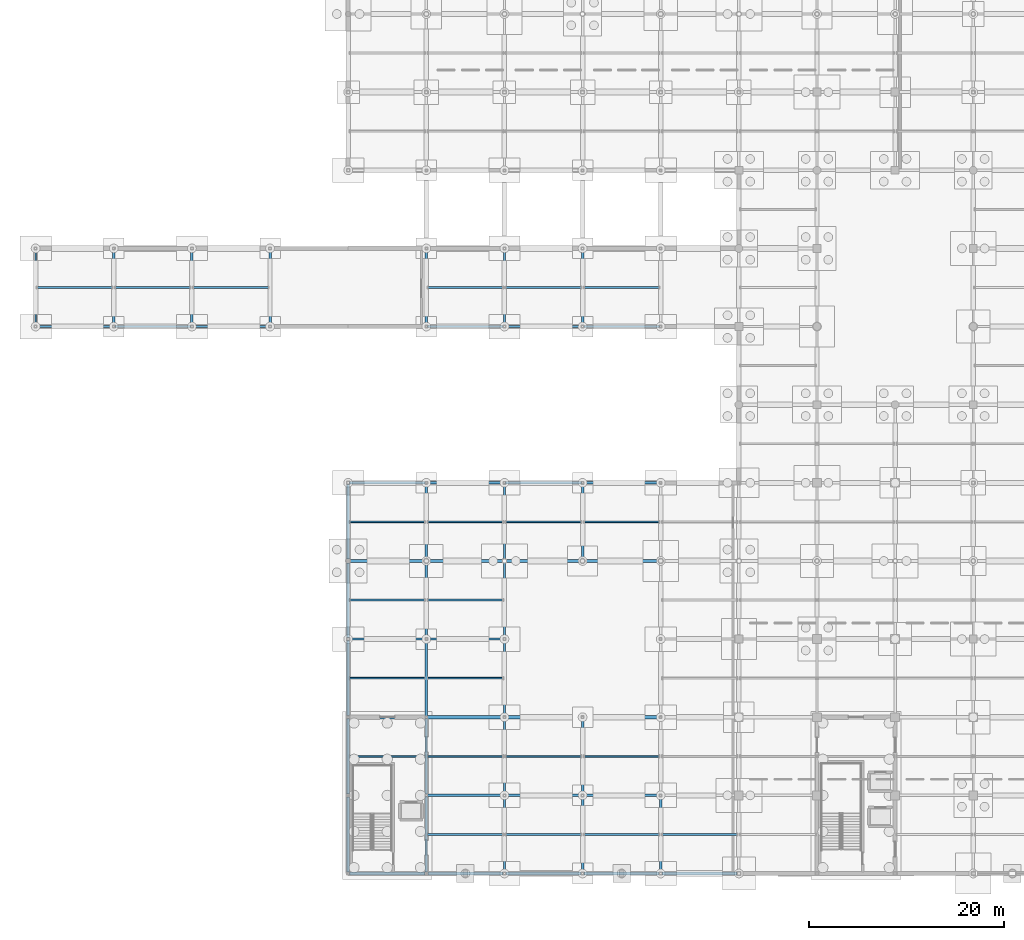
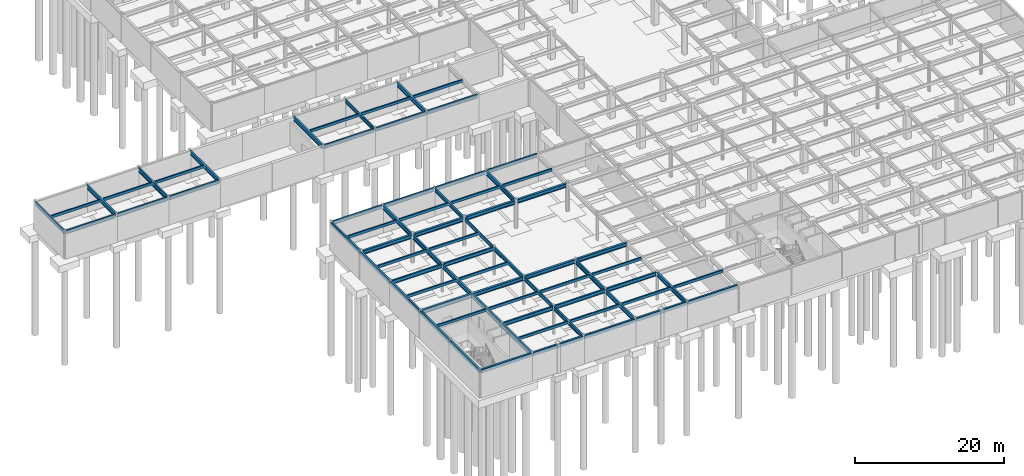
# One storey, part 44 of 105: 76 beams.
"""IFC4 building model written with IfcOpenShell, lengths in metres."""

from ifc_helpers import new_model, si_unit, direction, frame, origin, origin_2d, place, context, subcontext, project, spatial, hollow_rectangle, i_section, extrude, material, material_profile, profile_set, type_object, element, save


model = new_model("IFC4")

# Units and contexts
model_context = context("Model", 3, precision=1e-05, world=origin(), true_north=direction((0.0, 1.0)))
body_context = subcontext(model_context, "Body", "Model", "MODEL_VIEW")
ifc_project = project(units=[si_unit("LENGTHUNIT", "METRE"), si_unit("AREAUNIT", "SQUARE_METRE"), si_unit("VOLUMEUNIT", "CUBIC_METRE"), si_unit("PLANEANGLEUNIT", "RADIAN"), si_unit("MASSUNIT", "GRAM", prefix="KILO")], contexts=[model_context])

# Site, building, storey
site_placement = place(None, origin())
site = spatial("IfcSite", under=ifc_project, at=site_placement, CompositionType="ELEMENT")
building_placement = place(site_placement, origin())
building = spatial("IfcBuilding", under=site, at=building_placement, Name="Solmirada Galleria", CompositionType="ELEMENT")
storey_placement = place(building_placement, frame((0.0, 0.0, -4.800048828125)))
storey = spatial("IfcBuildingStorey", under=building, at=storey_placement, Name="B1", CompositionType="ELEMENT", Elevation=-4.800048828125)

# Beams
ifc_material_1 = material(Name="Steel S355 / ASTM A992 Grade 50", Category="steel")
ifc_material_profile_1 = material_profile(ifc_material_1, i_section(OverallWidth=0.323974609375, OverallDepth=0.611083984375, WebThickness=0.0126953125, FlangeThickness=0.01904296875, FilletRadius=0.014892578125, at=origin_2d()), Name="W24X104")
ifc_profile_set_1 = profile_set([ifc_material_profile_1], Name="Steel S355 / ASTM A992 Grade 50")
beam_type_1 = type_object("IfcBeamType", Name="BM-GIRD-W24A", PredefinedType="BEAM", material=ifc_profile_set_1)
beam_1_placement = place(storey_placement, frame((40.152587890625, 16.0, 4.274658203125), z_axis=(1.0, 0.0, 0.0), x_axis=(0.0, 1.0, 0.0)))
element("IfcBeam", 1, at=beam_1_placement, inside=storey, type_object=beam_type_1, Name="Primary beam L00 X(40..48, 16)", PredefinedType="BEAM", context=body_context, shape_type="SweptSolid", body=[
    extrude(i_section(OverallWidth=0.323974609375, OverallDepth=0.611083984375, WebThickness=0.0126953125, FlangeThickness=0.01904296875, FilletRadius=0.014892578125, at=origin_2d()), origin(), (0.0, 0.0, 1.0), 7.720458984375),
])
beam_2_placement = place(storey_placement, frame((40.21337890625, 32.0, 4.274658203125), z_axis=(1.0, 0.0, 0.0), x_axis=(0.0, 1.0, 0.0)))
element("IfcBeam", 2, at=beam_2_placement, inside=storey, type_object=beam_type_1, Name="Primary beam L00 X(40..48, 32)", PredefinedType="BEAM", context=body_context, shape_type="SweptSolid", body=[
    extrude(i_section(OverallWidth=0.323974609375, OverallDepth=0.611083984375, WebThickness=0.0126953125, FlangeThickness=0.01904296875, FilletRadius=0.014892578125, at=origin_2d()), origin(), (0.0, 0.0, 1.0), 7.5732421875),
])
beam_3_placement = place(storey_placement, frame((48.126953125, 16.0, 4.274658203125), z_axis=(1.0, 0.0, 0.0), x_axis=(0.0, 1.0, 0.0)))
element("IfcBeam", 3, at=beam_3_placement, inside=storey, type_object=beam_type_1, Name="Primary beam L00 X(48..56, 16)", PredefinedType="BEAM", context=body_context, shape_type="SweptSolid", body=[
    extrude(i_section(OverallWidth=0.323974609375, OverallDepth=0.611083984375, WebThickness=0.0126953125, FlangeThickness=0.01904296875, FilletRadius=0.014892578125, at=origin_2d()), origin(), (0.0, 0.0, 1.0), 7.74609375),
])
beam_4_placement = place(storey_placement, frame((48.21337890625, 32.0, 4.274658203125), z_axis=(1.0, 0.0, 0.0), x_axis=(0.0, 1.0, 0.0)))
element("IfcBeam", 4, at=beam_4_placement, inside=storey, type_object=beam_type_1, Name="Primary beam L00 X(48..56, 32)", PredefinedType="BEAM", context=body_context, shape_type="SweptSolid", body=[
    extrude(i_section(OverallWidth=0.323974609375, OverallDepth=0.611083984375, WebThickness=0.0126953125, FlangeThickness=0.01904296875, FilletRadius=0.014892578125, at=origin_2d()), origin(), (0.0, 0.0, 1.0), 7.5732421875),
])
beam_5_placement = place(storey_placement, frame((56.126953125, 16.0, 4.274658203125), z_axis=(1.0, 0.0, 0.0), x_axis=(0.0, 1.0, 0.0)))
element("IfcBeam", 5, at=beam_5_placement, inside=storey, type_object=beam_type_1, Name="Primary beam L00 X(56..64, 16)", PredefinedType="BEAM", context=body_context, shape_type="SweptSolid", body=[
    extrude(i_section(OverallWidth=0.323974609375, OverallDepth=0.611083984375, WebThickness=0.0126953125, FlangeThickness=0.01904296875, FilletRadius=0.014892578125, at=origin_2d()), origin(), (0.0, 0.0, 1.0), 7.74609375),
])
beam_6_placement = place(storey_placement, frame((56.21337890625, 32.0, 4.274658203125), z_axis=(1.0, 0.0, 0.0), x_axis=(0.0, 1.0, 0.0)))
element("IfcBeam", 6, at=beam_6_placement, inside=storey, type_object=beam_type_1, Name="Primary beam L00 X(56..64, 32)", PredefinedType="BEAM", context=body_context, shape_type="SweptSolid", body=[
    extrude(i_section(OverallWidth=0.323974609375, OverallDepth=0.611083984375, WebThickness=0.0126953125, FlangeThickness=0.01904296875, FilletRadius=0.014892578125, at=origin_2d()), origin(), (0.0, 0.0, 1.0), 7.5732421875),
])
beam_7_placement = place(storey_placement, frame((64.126953125, 16.0, 4.274658203125), z_axis=(1.0, 0.0, 0.0), x_axis=(0.0, 1.0, 0.0)))
element("IfcBeam", 7, at=beam_7_placement, inside=storey, type_object=beam_type_1, Name="Primary beam L00 X(64..72, 16)", PredefinedType="BEAM", context=body_context, shape_type="SweptSolid", body=[
    extrude(i_section(OverallWidth=0.323974609375, OverallDepth=0.611083984375, WebThickness=0.0126953125, FlangeThickness=0.01904296875, FilletRadius=0.014892578125, at=origin_2d()), origin(), (0.0, 0.0, 1.0), 7.74609375),
])
beam_8_placement = place(storey_placement, frame((64.21337890625, 32.0, 4.274658203125), z_axis=(1.0, 0.0, 0.0), x_axis=(0.0, 1.0, 0.0)))
element("IfcBeam", 8, at=beam_8_placement, inside=storey, type_object=beam_type_1, Name="Primary beam L00 X(64..72, 32)", PredefinedType="BEAM", context=body_context, shape_type="SweptSolid", body=[
    extrude(i_section(OverallWidth=0.323974609375, OverallDepth=0.611083984375, WebThickness=0.0126953125, FlangeThickness=0.01904296875, FilletRadius=0.014892578125, at=origin_2d()), origin(), (0.0, 0.0, 1.0), 7.5732421875),
])
ifc_material_profile_2 = material_profile(ifc_material_1, i_section(OverallWidth=0.22900390625, OverallDepth=0.612060546875, WebThickness=0.011962890625, FlangeThickness=0.01953125, FilletRadius=0.014892578125, at=origin_2d()), Name="W24X84")
ifc_profile_set_2 = profile_set([ifc_material_profile_2], Name="Steel S355 / ASTM A992 Grade 50")
beam_type_2 = type_object("IfcBeamType", Name="BM-GIRD-W24B", PredefinedType="BEAM", material=ifc_profile_set_2)
for number, where, z_axis, x_axis, name in (
    (9, (8.126953125, 56.0, 4.274169921875), (1.0, 0.0, 0.0), (0.0, 1.0, 0.0), "Primary beam L00 X(8..16, 56)"),
    (10, (16.126953125, 56.0, 4.274169921875), (1.0, 0.0, 0.0), (0.0, 1.0, 0.0), "Primary beam L00 X(16..24, 56)"),
    (11, (24.126953125, 56.0, 4.274169921875), (1.0, 0.0, 0.0), (0.0, 1.0, 0.0), "Primary beam L00 X(24..32, 56)"),
):
    element("IfcBeam", number, at=place(storey_placement, frame(where, z_axis=z_axis, x_axis=x_axis)), inside=storey, type_object=beam_type_2, Name=name, PredefinedType="BEAM", context=body_context, shape_type="SweptSolid", body=[
        extrude(i_section(OverallWidth=0.22900390625, OverallDepth=0.612060546875, WebThickness=0.011962890625, FlangeThickness=0.01953125, FilletRadius=0.014892578125, at=origin_2d()), origin(), (0.0, 0.0, 1.0), 7.74609375),
    ])
for number, where, z_axis, x_axis, name in (
    (12, (40.152587890625, 24.0, 4.274169921875), (1.0, 0.0, 0.0), (0.0, 1.0, 0.0), "Primary beam L00 X(40..48, 24)"),
    (13, (40.152587890625, 40.0, 4.274169921875), (1.0, 0.0, 0.0), (0.0, 1.0, 0.0), "Primary beam L00 X(40..48, 40)"),
):
    element("IfcBeam", number, at=place(storey_placement, frame(where, z_axis=z_axis, x_axis=x_axis)), inside=storey, type_object=beam_type_2, Name=name, PredefinedType="BEAM", context=body_context, shape_type="SweptSolid", body=[
        extrude(i_section(OverallWidth=0.22900390625, OverallDepth=0.612060546875, WebThickness=0.011962890625, FlangeThickness=0.01953125, FilletRadius=0.014892578125, at=origin_2d()), origin(), (0.0, 0.0, 1.0), 7.720458984375),
    ])
for number, where, z_axis, x_axis, name in (
    (14, (48.126953125, 8.0, 4.274169921875), (1.0, 0.0, 0.0), (0.0, 1.0, 0.0), "Primary beam L00 X(48..56, 8)"),
    (15, (48.126953125, 24.0, 4.274169921875), (1.0, 0.0, 0.0), (0.0, 1.0, 0.0), "Primary beam L00 X(48..56, 24)"),
    (16, (48.126953125, 40.0, 4.274169921875), (1.0, 0.0, 0.0), (0.0, 1.0, 0.0), "Primary beam L00 X(48..56, 40)"),
    (17, (48.126953125, 56.0, 4.274169921875), (1.0, 0.0, 0.0), (0.0, 1.0, 0.0), "Primary beam L00 X(48..56, 56)"),
    (18, (56.126953125, 8.0, 4.274169921875), (1.0, 0.0, 0.0), (0.0, 1.0, 0.0), "Primary beam L00 X(56..64, 8)"),
    (19, (56.126953125, 40.0, 4.274169921875), (1.0, 0.0, 0.0), (0.0, 1.0, 0.0), "Primary beam L00 X(56..64, 40)"),
    (20, (56.126953125, 56.0, 4.274169921875), (1.0, 0.0, 0.0), (0.0, 1.0, 0.0), "Primary beam L00 X(56..64, 56)"),
    (21, (64.126953125, 8.0, 4.274169921875), (1.0, 0.0, 0.0), (0.0, 1.0, 0.0), "Primary beam L00 X(64..72, 8)"),
    (22, (64.126953125, 40.0, 4.274169921875), (1.0, 0.0, 0.0), (0.0, 1.0, 0.0), "Primary beam L00 X(64..72, 40)"),
    (23, (64.126953125, 56.0, 4.274169921875), (1.0, 0.0, 0.0), (0.0, 1.0, 0.0), "Primary beam L00 X(64..72, 56)"),
):
    element("IfcBeam", number, at=place(storey_placement, frame(where, z_axis=z_axis, x_axis=x_axis)), inside=storey, type_object=beam_type_2, Name=name, PredefinedType="BEAM", context=body_context, shape_type="SweptSolid", body=[
        extrude(i_section(OverallWidth=0.22900390625, OverallDepth=0.612060546875, WebThickness=0.011962890625, FlangeThickness=0.01953125, FilletRadius=0.014892578125, at=origin_2d()), origin(), (0.0, 0.0, 1.0), 7.74609375),
    ])
ifc_material_profile_3 = material_profile(ifc_material_1, i_section(OverallWidth=0.22802734375, OverallDepth=0.60302734375, WebThickness=0.010498046875, FlangeThickness=0.014892578125, FilletRadius=0.014892578125, at=origin_2d()), Name="W24X68")
ifc_profile_set_3 = profile_set([ifc_material_profile_3], Name="Steel S355 / ASTM A992 Grade 50")
beam_type_3 = type_object("IfcBeamType", Name="BM-GIRD-W24C", PredefinedType="BEAM", material=ifc_profile_set_3)
beam_9_placement = place(storey_placement, frame((56.0, 0.152587890625, 4.278564453125), z_axis=(0.0, 1.0, 0.0), x_axis=(-1.0, 0.0, 0.0)))
element("IfcBeam", 24, at=beam_9_placement, inside=storey, type_object=beam_type_3, Name="Primary girder L00 Y(56, 0..8)", PredefinedType="BEAM", context=body_context, shape_type="SweptSolid", body=[
    extrude(i_section(OverallWidth=0.22802734375, OverallDepth=0.60302734375, WebThickness=0.010498046875, FlangeThickness=0.014892578125, FilletRadius=0.014892578125, at=origin_2d()), origin(), (0.0, 0.0, 1.0), 7.720458984375),
])
beam_10_placement = place(storey_placement, frame((56.0, 16.126953125, 4.278564453125), z_axis=(0.0, 1.0, 0.0), x_axis=(-1.0, 0.0, 0.0)))
element("IfcBeam", 25, at=beam_10_placement, inside=storey, type_object=beam_type_3, Name="Primary girder L00 Y(56, 16..24)", PredefinedType="BEAM", context=body_context, shape_type="SweptSolid", body=[
    extrude(i_section(OverallWidth=0.22802734375, OverallDepth=0.60302734375, WebThickness=0.010498046875, FlangeThickness=0.014892578125, FilletRadius=0.014892578125, at=origin_2d()), origin(), (0.0, 0.0, 1.0), 7.74609375),
])
beam_11_placement = place(storey_placement, frame((56.0, 32.21337890625, 4.278564453125), z_axis=(0.0, 1.0, 0.0), x_axis=(-1.0, 0.0, 0.0)))
element("IfcBeam", 26, at=beam_11_placement, inside=storey, type_object=beam_type_3, Name="Primary girder L00 Y(56, 32..40)", PredefinedType="BEAM", context=body_context, shape_type="SweptSolid", body=[
    extrude(i_section(OverallWidth=0.22802734375, OverallDepth=0.60302734375, WebThickness=0.010498046875, FlangeThickness=0.014892578125, FilletRadius=0.014892578125, at=origin_2d()), origin(), (0.0, 0.0, 1.0), 7.65966796875),
])
ifc_material_profile_4 = material_profile(ifc_material_1, i_section(OverallWidth=0.177978515625, OverallDepth=0.59912109375, WebThickness=0.010009765625, FlangeThickness=0.0126953125, FilletRadius=0.013916015625, at=origin_2d()), Name="W24X55")
ifc_profile_set_4 = profile_set([ifc_material_profile_4], Name="Steel S355 / ASTM A992 Grade 50")
beam_type_4 = type_object("IfcBeamType", Name="BM-GIRD-W24D", PredefinedType="BEAM", material=ifc_profile_set_4)
for number, where, z_axis, x_axis, name in (
    (27, (8.0, 56.126953125, 4.280517578125), (0.0, 1.0, 0.0), (-1.0, 0.0, 0.0), "Primary girder L00 Y(8, 56..64)"),
    (28, (56.0, 8.126953125, 4.280517578125), (0.0, 1.0, 0.0), (-1.0, 0.0, 0.0), "Primary girder L00 Y(56, 8..16)"),
):
    element("IfcBeam", number, at=place(storey_placement, frame(where, z_axis=z_axis, x_axis=x_axis)), inside=storey, type_object=beam_type_4, Name=name, PredefinedType="BEAM", context=body_context, shape_type="SweptSolid", body=[
        extrude(i_section(OverallWidth=0.177978515625, OverallDepth=0.59912109375, WebThickness=0.010009765625, FlangeThickness=0.0126953125, FilletRadius=0.013916015625, at=origin_2d()), origin(), (0.0, 0.0, 1.0), 7.74609375),
    ])
beam_12_placement = place(storey_placement, frame((56.0, 24.126953125, 4.280517578125), z_axis=(0.0, 1.0, 0.0), x_axis=(-1.0, 0.0, 0.0)))
element("IfcBeam", 29, at=beam_12_placement, inside=storey, type_object=beam_type_4, Name="Primary girder L00 Y(56, 24..32)", PredefinedType="BEAM", context=body_context, shape_type="SweptSolid", body=[
    extrude(i_section(OverallWidth=0.177978515625, OverallDepth=0.59912109375, WebThickness=0.010009765625, FlangeThickness=0.0126953125, FilletRadius=0.013916015625, at=origin_2d()), origin(), (0.0, 0.0, 1.0), 7.65966796875),
])
beam_13_placement = place(storey_placement, frame((56.0, 56.126953125, 4.280517578125), z_axis=(0.0, 1.0, 0.0), x_axis=(-1.0, 0.0, 0.0)))
element("IfcBeam", 30, at=beam_13_placement, inside=storey, type_object=beam_type_4, Name="Primary girder L00 Y(56, 56..64)", PredefinedType="BEAM", context=body_context, shape_type="SweptSolid", body=[
    extrude(i_section(OverallWidth=0.177978515625, OverallDepth=0.59912109375, WebThickness=0.010009765625, FlangeThickness=0.0126953125, FilletRadius=0.013916015625, at=origin_2d()), origin(), (0.0, 0.0, 1.0), 7.74609375),
])
ifc_material_profile_5 = material_profile(ifc_material_1, i_section(OverallWidth=0.256103515625, OverallDepth=0.693115234375, WebThickness=0.014404296875, FlangeThickness=0.023681640625, FilletRadius=0.01806640625, at=origin_2d()), Name="W27X114")
ifc_profile_set_5 = profile_set([ifc_material_profile_5], Name="Steel S355 / ASTM A992 Grade 50")
beam_type_5 = type_object("IfcBeamType", Name="BM-GIRD-W27A", PredefinedType="BEAM", material=ifc_profile_set_5)
beam_14_placement = place(storey_placement, frame((24.0, 56.126953125, 4.233642578125), z_axis=(0.0, 1.0, 0.0), x_axis=(-1.0, 0.0, 0.0)))
element("IfcBeam", 31, at=beam_14_placement, inside=storey, type_object=beam_type_5, Name="Primary girder L00 Y(24, 56..64)", PredefinedType="BEAM", context=body_context, shape_type="SweptSolid", body=[
    extrude(i_section(OverallWidth=0.256103515625, OverallDepth=0.693115234375, WebThickness=0.014404296875, FlangeThickness=0.023681640625, FilletRadius=0.01806640625, at=origin_2d()), origin(), (0.0, 0.0, 1.0), 7.74609375),
])
beam_15_placement = place(storey_placement, frame((48.0, 0.152587890625, 4.233642578125), z_axis=(0.0, 1.0, 0.0), x_axis=(-1.0, 0.0, 0.0)))
element("IfcBeam", 32, at=beam_15_placement, inside=storey, type_object=beam_type_5, Name="Primary girder L00 Y(48, 0..8)", PredefinedType="BEAM", context=body_context, shape_type="SweptSolid", body=[
    extrude(i_section(OverallWidth=0.256103515625, OverallDepth=0.693115234375, WebThickness=0.014404296875, FlangeThickness=0.023681640625, FilletRadius=0.01806640625, at=origin_2d()), origin(), (0.0, 0.0, 1.0), 7.720458984375),
])
for number, where, z_axis, x_axis, name in (
    (33, (48.0, 8.126953125, 4.233642578125), (0.0, 1.0, 0.0), (-1.0, 0.0, 0.0), "Primary girder L00 Y(48, 8..16)"),
    (34, (48.0, 16.126953125, 4.233642578125), (0.0, 1.0, 0.0), (-1.0, 0.0, 0.0), "Primary girder L00 Y(48, 16..24)"),
):
    element("IfcBeam", number, at=place(storey_placement, frame(where, z_axis=z_axis, x_axis=x_axis)), inside=storey, type_object=beam_type_5, Name=name, PredefinedType="BEAM", context=body_context, shape_type="SweptSolid", body=[
        extrude(i_section(OverallWidth=0.256103515625, OverallDepth=0.693115234375, WebThickness=0.014404296875, FlangeThickness=0.023681640625, FilletRadius=0.01806640625, at=origin_2d()), origin(), (0.0, 0.0, 1.0), 7.74609375),
    ])
for number, where, z_axis, x_axis, name in (
    (35, (48.0, 24.126953125, 4.233642578125), (0.0, 1.0, 0.0), (-1.0, 0.0, 0.0), "Primary girder L00 Y(48, 24..32)"),
    (36, (48.0, 32.21337890625, 4.233642578125), (0.0, 1.0, 0.0), (-1.0, 0.0, 0.0), "Primary girder L00 Y(48, 32..40)"),
):
    element("IfcBeam", number, at=place(storey_placement, frame(where, z_axis=z_axis, x_axis=x_axis)), inside=storey, type_object=beam_type_5, Name=name, PredefinedType="BEAM", context=body_context, shape_type="SweptSolid", body=[
        extrude(i_section(OverallWidth=0.256103515625, OverallDepth=0.693115234375, WebThickness=0.014404296875, FlangeThickness=0.023681640625, FilletRadius=0.01806640625, at=origin_2d()), origin(), (0.0, 0.0, 1.0), 7.65966796875),
    ])
beam_16_placement = place(storey_placement, frame((48.0, 56.126953125, 4.233642578125), z_axis=(0.0, 1.0, 0.0), x_axis=(-1.0, 0.0, 0.0)))
element("IfcBeam", 37, at=beam_16_placement, inside=storey, type_object=beam_type_5, Name="Primary girder L00 Y(48, 56..64)", PredefinedType="BEAM", context=body_context, shape_type="SweptSolid", body=[
    extrude(i_section(OverallWidth=0.256103515625, OverallDepth=0.693115234375, WebThickness=0.014404296875, FlangeThickness=0.023681640625, FilletRadius=0.01806640625, at=origin_2d()), origin(), (0.0, 0.0, 1.0), 7.74609375),
])
beam_17_placement = place(storey_placement, frame((72.0, 0.152587890625, 4.233642578125), z_axis=(0.0, 1.0, 0.0), x_axis=(-1.0, 0.0, 0.0)))
element("IfcBeam", 38, at=beam_17_placement, inside=storey, type_object=beam_type_5, Name="Primary girder L00 Y(72, 0..8)", PredefinedType="BEAM", context=body_context, shape_type="SweptSolid", body=[
    extrude(i_section(OverallWidth=0.256103515625, OverallDepth=0.693115234375, WebThickness=0.014404296875, FlangeThickness=0.023681640625, FilletRadius=0.01806640625, at=origin_2d()), origin(), (0.0, 0.0, 1.0), 7.720458984375),
])
ifc_material_profile_6 = material_profile(ifc_material_1, i_section(OverallWidth=0.25390625, OverallDepth=0.68408203125, WebThickness=0.012451171875, FlangeThickness=0.018798828125, FilletRadius=0.01708984375, at=origin_2d()), Name="W27X94")
ifc_profile_set_6 = profile_set([ifc_material_profile_6], Name="Steel S355 / ASTM A992 Grade 50")
beam_type_6 = type_object("IfcBeamType", Name="BM-GIRD-W27B", PredefinedType="BEAM", material=ifc_profile_set_6)
for number, where, z_axis, x_axis, name in (
    (39, (16.0, 56.126953125, 4.238037109375), (0.0, 1.0, 0.0), (-1.0, 0.0, 0.0), "Primary girder L00 Y(16, 56..64)"),
    (40, (32.0, 56.126953125, 4.238037109375), (0.0, 1.0, 0.0), (-1.0, 0.0, 0.0), "Primary girder L00 Y(32, 56..64)"),
):
    element("IfcBeam", number, at=place(storey_placement, frame(where, z_axis=z_axis, x_axis=x_axis)), inside=storey, type_object=beam_type_6, Name=name, PredefinedType="BEAM", context=body_context, shape_type="SweptSolid", body=[
        extrude(i_section(OverallWidth=0.25390625, OverallDepth=0.68408203125, WebThickness=0.012451171875, FlangeThickness=0.018798828125, FilletRadius=0.01708984375, at=origin_2d()), origin(), (0.0, 0.0, 1.0), 7.74609375),
    ])
beam_18_placement = place(storey_placement, frame((64.0, 0.152587890625, 4.238037109375), z_axis=(0.0, 1.0, 0.0), x_axis=(-1.0, 0.0, 0.0)))
element("IfcBeam", 41, at=beam_18_placement, inside=storey, type_object=beam_type_6, Name="Primary girder L00 Y(64, 0..8)", PredefinedType="BEAM", context=body_context, shape_type="SweptSolid", body=[
    extrude(i_section(OverallWidth=0.25390625, OverallDepth=0.68408203125, WebThickness=0.012451171875, FlangeThickness=0.018798828125, FilletRadius=0.01708984375, at=origin_2d()), origin(), (0.0, 0.0, 1.0), 7.720458984375),
])
beam_19_placement = place(storey_placement, frame((64.0, 8.126953125, 4.238037109375), z_axis=(0.0, 1.0, 0.0), x_axis=(-1.0, 0.0, 0.0)))
element("IfcBeam", 42, at=beam_19_placement, inside=storey, type_object=beam_type_6, Name="Primary girder L00 Y(64, 8..16)", PredefinedType="BEAM", context=body_context, shape_type="SweptSolid", body=[
    extrude(i_section(OverallWidth=0.25390625, OverallDepth=0.68408203125, WebThickness=0.012451171875, FlangeThickness=0.018798828125, FilletRadius=0.01708984375, at=origin_2d()), origin(), (0.0, 0.0, 1.0), 7.74609375),
])
beam_20_placement = place(storey_placement, frame((64.0, 32.21337890625, 4.238037109375), z_axis=(0.0, 1.0, 0.0), x_axis=(-1.0, 0.0, 0.0)))
element("IfcBeam", 43, at=beam_20_placement, inside=storey, type_object=beam_type_6, Name="Primary girder L00 Y(64, 32..40)", PredefinedType="BEAM", context=body_context, shape_type="SweptSolid", body=[
    extrude(i_section(OverallWidth=0.25390625, OverallDepth=0.68408203125, WebThickness=0.012451171875, FlangeThickness=0.018798828125, FilletRadius=0.01708984375, at=origin_2d()), origin(), (0.0, 0.0, 1.0), 7.65966796875),
])
beam_21_placement = place(storey_placement, frame((64.0, 56.126953125, 4.238037109375), z_axis=(0.0, 1.0, 0.0), x_axis=(-1.0, 0.0, 0.0)))
element("IfcBeam", 44, at=beam_21_placement, inside=storey, type_object=beam_type_6, Name="Primary girder L00 Y(64, 56..64)", PredefinedType="BEAM", context=body_context, shape_type="SweptSolid", body=[
    extrude(i_section(OverallWidth=0.25390625, OverallDepth=0.68408203125, WebThickness=0.012451171875, FlangeThickness=0.018798828125, FilletRadius=0.01708984375, at=origin_2d()), origin(), (0.0, 0.0, 1.0), 7.74609375),
])
ifc_material_2 = material(Name="Steel S355 / ASTM A500 Grade C", Category="steel")
ifc_material_profile_7 = material_profile(ifc_material_2, hollow_rectangle(XDim=0.202880859375, YDim=0.45703125, WallThickness=0.01171875, InnerFilletRadius=0.01171875, OuterFilletRadius=0.023681640625, at=origin_2d()), Name="HSS18X8X1/2")
ifc_profile_set_7 = profile_set([ifc_material_profile_7], Name="Steel S355 / ASTM A500 Grade C")
beam_type_7 = type_object("IfcBeamType", Name="BM-JST-W16A", PredefinedType="JOIST", material=ifc_profile_set_7)
beam_22_placement = place(storey_placement, frame((8.089111328125, 60.0, 4.3515625), z_axis=(1.0, 0.0, 0.0), x_axis=(0.0, 1.0, 0.0)))
element("IfcBeam", 45, at=beam_22_placement, inside=storey, type_object=beam_type_7, Name="Composite floor joist L00 (8..16, 60.0)", PredefinedType="JOIST", context=body_context, shape_type="SweptSolid", body=[
    extrude(hollow_rectangle(XDim=0.202880859375, YDim=0.45703125, WallThickness=0.01171875, InnerFilletRadius=0.01171875, OuterFilletRadius=0.023681640625, at=origin_2d()), origin(), (0.0, 0.0, 1.0), 7.783935546875),
])
for number, where, z_axis, x_axis, name in (
    (46, (16.126953125, 60.0, 4.3515625), (1.0, 0.0, 0.0), (0.0, 1.0, 0.0), "Composite floor joist L00 (16..24, 60.0)"),
    (47, (24.1279296875, 60.0, 4.3515625), (1.0, 0.0, 0.0), (0.0, 1.0, 0.0), "Composite floor joist L00 (24..32, 60.0)"),
):
    element("IfcBeam", number, at=place(storey_placement, frame(where, z_axis=z_axis, x_axis=x_axis)), inside=storey, type_object=beam_type_7, Name=name, PredefinedType="JOIST", context=body_context, shape_type="SweptSolid", body=[
        extrude(hollow_rectangle(XDim=0.202880859375, YDim=0.45703125, WallThickness=0.01171875, InnerFilletRadius=0.01171875, OuterFilletRadius=0.023681640625, at=origin_2d()), origin(), (0.0, 0.0, 1.0), 7.7451171875),
    ])
for number, where, z_axis, x_axis, name in (
    (48, (40.152587890625, 12.0, 4.3515625), (1.0, 0.0, 0.0), (0.0, 1.0, 0.0), "Composite floor joist L00 (40..48, 12.0)"),
    (49, (40.152587890625, 20.0, 4.3515625), (1.0, 0.0, 0.0), (0.0, 1.0, 0.0), "Composite floor joist L00 (40..48, 20.0)"),
    (50, (40.152587890625, 28.0, 4.3515625), (1.0, 0.0, 0.0), (0.0, 1.0, 0.0), "Composite floor joist L00 (40..48, 28.0)"),
    (51, (40.152587890625, 36.0, 4.3515625), (1.0, 0.0, 0.0), (0.0, 1.0, 0.0), "Composite floor joist L00 (40..48, 36.0)"),
):
    element("IfcBeam", number, at=place(storey_placement, frame(where, z_axis=z_axis, x_axis=x_axis)), inside=storey, type_object=beam_type_7, Name=name, PredefinedType="JOIST", context=body_context, shape_type="SweptSolid", body=[
        extrude(hollow_rectangle(XDim=0.202880859375, YDim=0.45703125, WallThickness=0.01171875, InnerFilletRadius=0.01171875, OuterFilletRadius=0.023681640625, at=origin_2d()), origin(), (0.0, 0.0, 1.0), 7.719482421875),
    ])
beam_23_placement = place(storey_placement, frame((48.1279296875, 4.0, 4.3515625), z_axis=(1.0, 0.0, 0.0), x_axis=(0.0, 1.0, 0.0)))
element("IfcBeam", 52, at=beam_23_placement, inside=storey, type_object=beam_type_7, Name="Composite floor joist L00 (48..56, 4.0)", PredefinedType="JOIST", context=body_context, shape_type="SweptSolid", body=[
    extrude(hollow_rectangle(XDim=0.202880859375, YDim=0.45703125, WallThickness=0.01171875, InnerFilletRadius=0.01171875, OuterFilletRadius=0.023681640625, at=origin_2d()), origin(), (0.0, 0.0, 1.0), 7.758056640625),
])
beam_24_placement = place(storey_placement, frame((48.1279296875, 12.0, 4.3515625), z_axis=(1.0, 0.0, 0.0), x_axis=(0.0, 1.0, 0.0)))
element("IfcBeam", 53, at=beam_24_placement, inside=storey, type_object=beam_type_7, Name="Composite floor joist L00 (48..56, 12.0)", PredefinedType="JOIST", context=body_context, shape_type="SweptSolid", body=[
    extrude(hollow_rectangle(XDim=0.202880859375, YDim=0.45703125, WallThickness=0.01171875, InnerFilletRadius=0.01171875, OuterFilletRadius=0.023681640625, at=origin_2d()), origin(), (0.0, 0.0, 1.0), 7.782958984375),
])
beam_25_placement = place(storey_placement, frame((48.1279296875, 20.0, 4.3515625), z_axis=(1.0, 0.0, 0.0), x_axis=(0.0, 1.0, 0.0)))
element("IfcBeam", 54, at=beam_25_placement, inside=storey, type_object=beam_type_7, Name="Composite floor joist L00 (48..56, 20.0)", PredefinedType="JOIST", context=body_context, shape_type="SweptSolid", body=[
    extrude(hollow_rectangle(XDim=0.202880859375, YDim=0.45703125, WallThickness=0.01171875, InnerFilletRadius=0.01171875, OuterFilletRadius=0.023681640625, at=origin_2d()), origin(), (0.0, 0.0, 1.0), 7.758056640625),
])
beam_26_placement = place(storey_placement, frame((48.1279296875, 28.0, 4.3515625), z_axis=(1.0, 0.0, 0.0), x_axis=(0.0, 1.0, 0.0)))
element("IfcBeam", 55, at=beam_26_placement, inside=storey, type_object=beam_type_7, Name="Composite floor joist L00 (48..56, 28.0)", PredefinedType="JOIST", context=body_context, shape_type="SweptSolid", body=[
    extrude(hollow_rectangle(XDim=0.202880859375, YDim=0.45703125, WallThickness=0.01171875, InnerFilletRadius=0.01171875, OuterFilletRadius=0.023681640625, at=origin_2d()), origin(), (0.0, 0.0, 1.0), 7.782958984375),
])
beam_27_placement = place(storey_placement, frame((48.1279296875, 36.0, 4.3515625), z_axis=(1.0, 0.0, 0.0), x_axis=(0.0, 1.0, 0.0)))
element("IfcBeam", 56, at=beam_27_placement, inside=storey, type_object=beam_type_7, Name="Composite floor joist L00 (48..56, 36.0)", PredefinedType="JOIST", context=body_context, shape_type="SweptSolid", body=[
    extrude(hollow_rectangle(XDim=0.202880859375, YDim=0.45703125, WallThickness=0.01171875, InnerFilletRadius=0.01171875, OuterFilletRadius=0.023681640625, at=origin_2d()), origin(), (0.0, 0.0, 1.0), 7.758056640625),
])
beam_28_placement = place(storey_placement, frame((48.1279296875, 60.0, 4.3515625), z_axis=(1.0, 0.0, 0.0), x_axis=(0.0, 1.0, 0.0)))
element("IfcBeam", 57, at=beam_28_placement, inside=storey, type_object=beam_type_7, Name="Composite floor joist L00 (48..56, 60.0)", PredefinedType="JOIST", context=body_context, shape_type="SweptSolid", body=[
    extrude(hollow_rectangle(XDim=0.202880859375, YDim=0.45703125, WallThickness=0.01171875, InnerFilletRadius=0.01171875, OuterFilletRadius=0.023681640625, at=origin_2d()), origin(), (0.0, 0.0, 1.0), 7.782958984375),
])
beam_29_placement = place(storey_placement, frame((56.114013671875, 4.0, 4.3515625), z_axis=(1.0, 0.0, 0.0), x_axis=(0.0, 1.0, 0.0)))
element("IfcBeam", 58, at=beam_29_placement, inside=storey, type_object=beam_type_7, Name="Composite floor joist L00 (56..64, 4.0)", PredefinedType="JOIST", context=body_context, shape_type="SweptSolid", body=[
    extrude(hollow_rectangle(XDim=0.202880859375, YDim=0.45703125, WallThickness=0.01171875, InnerFilletRadius=0.01171875, OuterFilletRadius=0.023681640625, at=origin_2d()), origin(), (0.0, 0.0, 1.0), 7.759033203125),
])
beam_30_placement = place(storey_placement, frame((56.089111328125, 12.0, 4.3515625), z_axis=(1.0, 0.0, 0.0), x_axis=(0.0, 1.0, 0.0)))
element("IfcBeam", 59, at=beam_30_placement, inside=storey, type_object=beam_type_7, Name="Composite floor joist L00 (56..64, 12.0)", PredefinedType="JOIST", context=body_context, shape_type="SweptSolid", body=[
    extrude(hollow_rectangle(XDim=0.202880859375, YDim=0.45703125, WallThickness=0.01171875, InnerFilletRadius=0.01171875, OuterFilletRadius=0.023681640625, at=origin_2d()), origin(), (0.0, 0.0, 1.0), 7.783935546875),
])
beam_31_placement = place(storey_placement, frame((56.114013671875, 36.0, 4.3515625), z_axis=(1.0, 0.0, 0.0), x_axis=(0.0, 1.0, 0.0)))
element("IfcBeam", 60, at=beam_31_placement, inside=storey, type_object=beam_type_7, Name="Composite floor joist L00 (56..64, 36.0)", PredefinedType="JOIST", context=body_context, shape_type="SweptSolid", body=[
    extrude(hollow_rectangle(XDim=0.202880859375, YDim=0.45703125, WallThickness=0.01171875, InnerFilletRadius=0.01171875, OuterFilletRadius=0.023681640625, at=origin_2d()), origin(), (0.0, 0.0, 1.0), 7.759033203125),
])
beam_32_placement = place(storey_placement, frame((56.089111328125, 60.0, 4.3515625), z_axis=(1.0, 0.0, 0.0), x_axis=(0.0, 1.0, 0.0)))
element("IfcBeam", 61, at=beam_32_placement, inside=storey, type_object=beam_type_7, Name="Composite floor joist L00 (56..64, 60.0)", PredefinedType="JOIST", context=body_context, shape_type="SweptSolid", body=[
    extrude(hollow_rectangle(XDim=0.202880859375, YDim=0.45703125, WallThickness=0.01171875, InnerFilletRadius=0.01171875, OuterFilletRadius=0.023681640625, at=origin_2d()), origin(), (0.0, 0.0, 1.0), 7.783935546875),
])
for number, where, z_axis, x_axis, name in (
    (62, (64.126953125, 4.0, 4.3515625), (1.0, 0.0, 0.0), (0.0, 1.0, 0.0), "Composite floor joist L00 (64..72, 4.0)"),
    (63, (64.126953125, 12.0, 4.3515625), (1.0, 0.0, 0.0), (0.0, 1.0, 0.0), "Composite floor joist L00 (64..72, 12.0)"),
    (64, (64.126953125, 36.0, 4.3515625), (1.0, 0.0, 0.0), (0.0, 1.0, 0.0), "Composite floor joist L00 (64..72, 36.0)"),
    (65, (64.126953125, 60.0, 4.3515625), (1.0, 0.0, 0.0), (0.0, 1.0, 0.0), "Composite floor joist L00 (64..72, 60.0)"),
    (66, (72.1279296875, 4.0, 4.3515625), (1.0, 0.0, 0.0), (0.0, 1.0, 0.0), "Composite floor joist L00 (72..80, 4.0)"),
):
    element("IfcBeam", number, at=place(storey_placement, frame(where, z_axis=z_axis, x_axis=x_axis)), inside=storey, type_object=beam_type_7, Name=name, PredefinedType="JOIST", context=body_context, shape_type="SweptSolid", body=[
        extrude(hollow_rectangle(XDim=0.202880859375, YDim=0.45703125, WallThickness=0.01171875, InnerFilletRadius=0.01171875, OuterFilletRadius=0.023681640625, at=origin_2d()), origin(), (0.0, 0.0, 1.0), 7.7451171875),
    ])
ifc_material_profile_8 = material_profile(ifc_material_2, hollow_rectangle(XDim=0.304931640625, YDim=0.55908203125, WallThickness=0.01171875, InnerFilletRadius=0.01171875, OuterFilletRadius=0.023681640625, at=origin_2d()), Name="HSS22X12X1/2")
ifc_profile_set_8 = profile_set([ifc_material_profile_8], Name="Steel S355 / ASTM A500 Grade C")
beam_type_8 = type_object("IfcBeamType", Name="BM-SPAND-W21", PredefinedType="SPANDREL", material=ifc_profile_set_8)
for number, where, z_axis, x_axis, name in (
    (67, (40.152587890625, 0.0, 4.300537109375), (1.0, 0.0, 0.0), (0.0, 1.0, 0.0), "Primary beam L00 X(40..48, 0)"),
    (68, (48.152587890625, 0.0, 4.300537109375), (1.0, 0.0, 0.0), (0.0, 1.0, 0.0), "Primary beam L00 X(48..56, 0)"),
    (69, (56.152587890625, 0.0, 4.300537109375), (1.0, 0.0, 0.0), (0.0, 1.0, 0.0), "Primary beam L00 X(56..64, 0)"),
    (70, (64.152587890625, 0.0, 4.300537109375), (1.0, 0.0, 0.0), (0.0, 1.0, 0.0), "Primary beam L00 X(64..72, 0)"),
):
    element("IfcBeam", number, at=place(storey_placement, frame(where, z_axis=z_axis, x_axis=x_axis)), inside=storey, type_object=beam_type_8, Name=name, PredefinedType="SPANDREL", context=body_context, shape_type="SweptSolid", body=[
        extrude(hollow_rectangle(XDim=0.304931640625, YDim=0.55908203125, WallThickness=0.01171875, InnerFilletRadius=0.01171875, OuterFilletRadius=0.023681640625, at=origin_2d()), origin(), (0.0, 0.0, 1.0), 7.69482421875),
    ])
beam_33_placement = place(storey_placement, frame((72.152587890625, 0.0, 4.300537109375), z_axis=(1.0, 0.0, 0.0), x_axis=(0.0, 1.0, 0.0)))
element("IfcBeam", 71, at=beam_33_placement, inside=storey, type_object=beam_type_8, Name="Primary beam L00 X(72..80, 0)", PredefinedType="SPANDREL", context=body_context, shape_type="SweptSolid", body=[
    extrude(hollow_rectangle(XDim=0.304931640625, YDim=0.55908203125, WallThickness=0.01171875, InnerFilletRadius=0.01171875, OuterFilletRadius=0.023681640625, at=origin_2d()), origin(), (0.0, 0.0, 1.0), 7.64453125),
])
for number, where, z_axis, x_axis, name in (
    (72, (40.0, 0.152587890625, 4.300537109375), (0.0, 1.0, 0.0), (-1.0, 0.0, 0.0), "Primary girder L00 Y(40, 0..8)"),
    (73, (40.0, 8.152587890625, 4.300537109375), (0.0, 1.0, 0.0), (-1.0, 0.0, 0.0), "Primary girder L00 Y(40, 8..16)"),
    (74, (40.0, 16.152587890625, 4.300537109375), (0.0, 1.0, 0.0), (-1.0, 0.0, 0.0), "Primary girder L00 Y(40, 16..24)"),
):
    element("IfcBeam", number, at=place(storey_placement, frame(where, z_axis=z_axis, x_axis=x_axis)), inside=storey, type_object=beam_type_8, Name=name, PredefinedType="SPANDREL", context=body_context, shape_type="SweptSolid", body=[
        extrude(hollow_rectangle(XDim=0.304931640625, YDim=0.55908203125, WallThickness=0.01171875, InnerFilletRadius=0.01171875, OuterFilletRadius=0.023681640625, at=origin_2d()), origin(), (0.0, 0.0, 1.0), 7.69482421875),
    ])
for number, where, z_axis, x_axis, name in (
    (75, (40.0, 24.152587890625, 4.300537109375), (0.0, 1.0, 0.0), (-1.0, 0.0, 0.0), "Primary girder L00 Y(40, 24..32)"),
    (76, (40.0, 32.21337890625, 4.300537109375), (0.0, 1.0, 0.0), (-1.0, 0.0, 0.0), "Primary girder L00 Y(40, 32..40)"),
):
    element("IfcBeam", number, at=place(storey_placement, frame(where, z_axis=z_axis, x_axis=x_axis)), inside=storey, type_object=beam_type_8, Name=name, PredefinedType="SPANDREL", context=body_context, shape_type="SweptSolid", body=[
        extrude(hollow_rectangle(XDim=0.304931640625, YDim=0.55908203125, WallThickness=0.01171875, InnerFilletRadius=0.01171875, OuterFilletRadius=0.023681640625, at=origin_2d()), origin(), (0.0, 0.0, 1.0), 7.634033203125),
    ])

save(model, "model.ifc")
